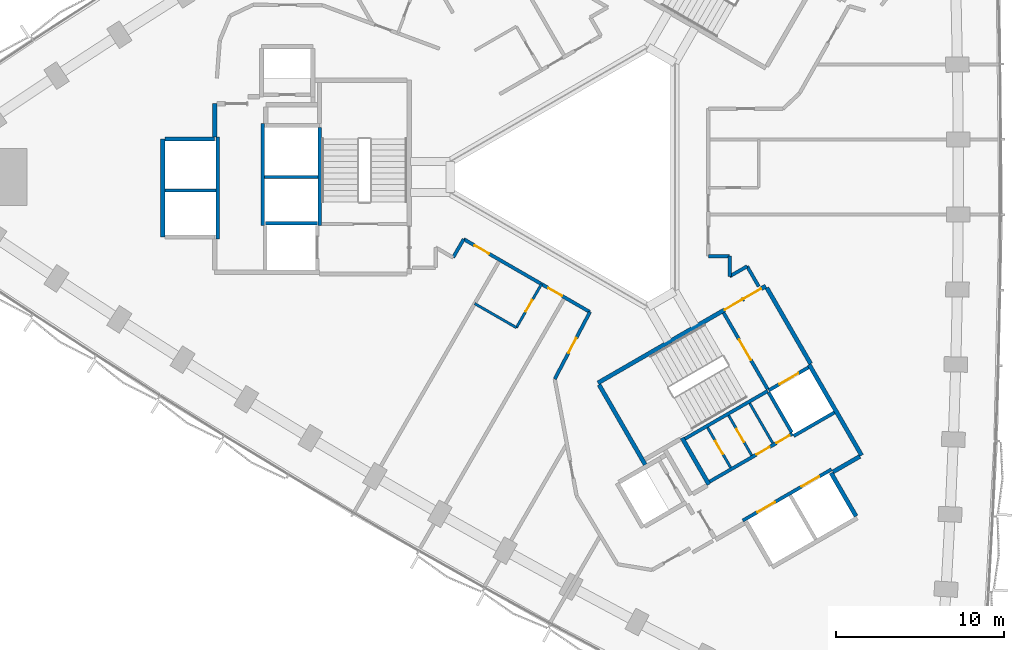
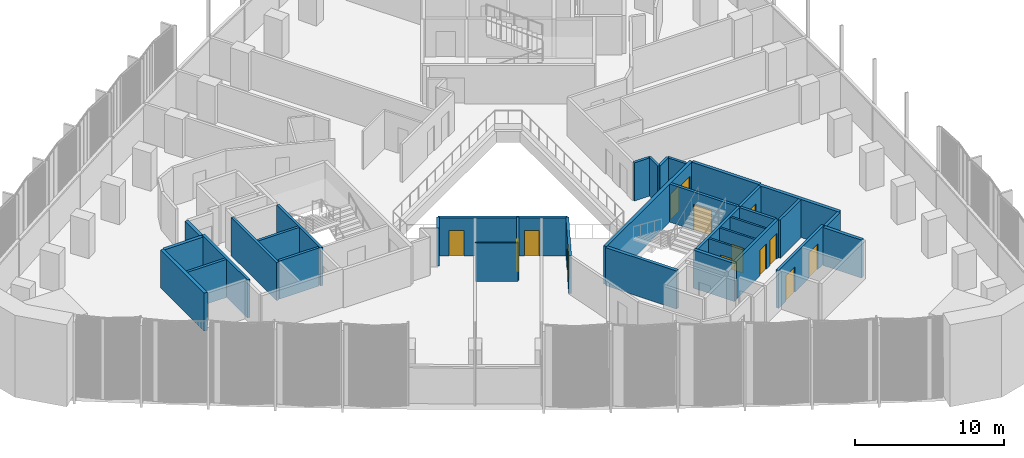
# One storey, part 10 of 16: 35 walls, 14 doors, 14 openings.
"""IFC4 building model written with IfcOpenShell, lengths in metres."""

import ifcopenshell
import ifcopenshell.guid

model = None  # the IFC model being written
_history = None  # IfcOwnerHistory: only IFC2X3 demands one
_inside = {}  # id of a spatial element -> (the spatial element, [elements in it])
_under = {}  # id of a project, library or spatial element -> (it, [spatial elements below it])
_declared = {}  # id of a project -> (the project, [libraries it declares])
_typed = {}  # id of a type object -> (the type object, [elements of that type])
_made_of = {}  # id of a material, layer set ... -> (it, [elements and type objects made of it])


def new_model(schema):
    """Start an empty IFC model of exactly this schema.

    Asked for "IFC4X3", IfcOpenShell would pick the latest addendum, in which some entities
    have other attributes; the version numbers below select the first issue.
    IFC2X3 requires an IfcOwnerHistory on every rooted entity: one is made here for all.
    """
    global model, _history
    if schema == "IFC4X3":
        model = ifcopenshell.file(schema_version=(4, 3, 0, 0))
    else:
        model = ifcopenshell.file(schema=schema)
    _inside.clear()
    _under.clear()
    _declared.clear()
    _typed.clear()
    _made_of.clear()
    _history = None
    if model.schema == "IFC2X3":
        org = make("IfcOrganization", Name="unknown")
        user = make(
            "IfcPersonAndOrganization",
            ThePerson=make("IfcPerson", FamilyName="unknown"),
            TheOrganization=org,
        )
        app = make(
            "IfcApplication",
            ApplicationDeveloper=org,
            Version="unknown",
            ApplicationFullName="unknown",
            ApplicationIdentifier="unknown",
        )
        _history = make(
            "IfcOwnerHistory",
            OwningUser=user,
            OwningApplication=app,
            ChangeAction="ADDED",
            CreationDate=0,
        )
    return model


def make(cls, **values):
    """One entity of the class cls with the attributes given. An attribute that is None is left unset."""
    return model.create_entity(
        cls, **{name: value for name, value in values.items() if value is not None}
    )


def rooted(cls, **values):
    """An entity with a GlobalId (a new one), such as an element, a storey or a relation."""
    return make(cls, GlobalId=ifcopenshell.guid.new(), OwnerHistory=_history, **values)


def si_unit(unit_type, name, prefix=None):
    """IfcSIUnit, for example si_unit("LENGTHUNIT", "METRE", prefix="MILLI")."""
    return make("IfcSIUnit", UnitType=unit_type, Prefix=prefix, Name=name)


def assignment(units):
    """IfcUnitAssignment: the units of a project."""
    return None if units is None else make("IfcUnitAssignment", Units=units)


def point(xyz):
    """IfcCartesianPoint."""
    return None if xyz is None else make("IfcCartesianPoint", Coordinates=xyz)


def direction(xyz):
    """IfcDirection."""
    return None if xyz is None else make("IfcDirection", DirectionRatios=xyz)


def frame(location, z_axis=None, x_axis=None):
    """IfcAxis2Placement3D, a coordinate frame: its origin and axes. An axis left out is left unset."""
    return make(
        "IfcAxis2Placement3D",
        Location=point(location),
        Axis=direction(z_axis),
        RefDirection=direction(x_axis),
    )


def frame_2d(location, x_axis=None):
    """IfcAxis2Placement2D, a coordinate frame in the plane: its origin and x axis."""
    return make(
        "IfcAxis2Placement2D", Location=point(location), RefDirection=direction(x_axis)
    )


def origin():
    """The frame at (0, 0, 0) with its axes left unset."""
    return frame((0.0, 0.0, 0.0))


def place(relative_to, where):
    """IfcLocalPlacement: puts the frame where relative to a parent placement (None: the world)."""
    return make(
        "IfcLocalPlacement", PlacementRelTo=relative_to, RelativePlacement=where
    )


def context(
    kind, dimensions, precision=None, world=None, true_north=None, identifier=None
):
    """IfcGeometricRepresentationContext, for example the 3D "Model" context."""
    return make(
        "IfcGeometricRepresentationContext",
        ContextIdentifier=identifier,
        ContextType=kind,
        CoordinateSpaceDimension=dimensions,
        Precision=precision,
        WorldCoordinateSystem=world,
        TrueNorth=true_north,
    )


def subcontext(parent, identifier, kind, view, scale=None):
    """IfcGeometricRepresentationSubContext, for example "Body" below "Model"."""
    return make(
        "IfcGeometricRepresentationSubContext",
        ContextIdentifier=identifier,
        ContextType=kind,
        ParentContext=parent,
        TargetScale=scale,
        TargetView=view,
    )


def project(units=None, contexts=None):
    """IfcProject with its units and contexts."""
    return rooted(
        "IfcProject",
        Name="project",
        RepresentationContexts=contexts,
        UnitsInContext=assignment(units),
    )


def spatial(cls, under=None, at=None, **own):
    """A site, building, storey or space (cls), placed at a placement, below another one or the project."""
    s = rooted(cls, ObjectPlacement=at, **own)
    if under is not None:
        _under.setdefault(under.id(), (under, []))[1].append(s)
    return s


def profile(cls, at=None, kind="AREA", **sizes):
    """A parametric profile (cls). Its sizes go by their IFC names, for example OverallWidth=200.0."""
    return make(cls, ProfileType=kind, Position=at, **sizes)


def rectangle(**sizes):
    """IfcRectangleProfileDef."""
    return profile("IfcRectangleProfileDef", **sizes)


def extrude(swept, where, along, depth):
    """IfcExtrudedAreaSolid: the profile swept, set in the frame where, extruded along a direction by depth."""
    return make(
        "IfcExtrudedAreaSolid",
        SweptArea=swept,
        Position=where,
        ExtrudedDirection=direction(along),
        Depth=depth,
    )


def shape(context_of_items, identifier, shape_type, items):
    """IfcShapeRepresentation: the items that make up one representation, for example the "Body"."""
    return make(
        "IfcShapeRepresentation",
        ContextOfItems=context_of_items,
        RepresentationIdentifier=identifier,
        RepresentationType=shape_type,
        Items=items,
    )


def material(Name=None, Category=None):
    """IfcMaterial."""
    return make("IfcMaterial", Name=Name, Category=Category)


def layer(
    of_material, thickness, ventilated=None, Name=None, Category=None, Priority=None
):
    """IfcMaterialLayer: one layer of a wall or slab, of a material (None: an air gap)."""
    return make(
        "IfcMaterialLayer",
        Material=of_material,
        LayerThickness=thickness,
        IsVentilated=ventilated,
        Name=Name,
        Category=Category,
        Priority=Priority,
    )


def layer_set(layers, Name=None):
    """IfcMaterialLayerSet."""
    return make("IfcMaterialLayerSet", MaterialLayers=layers, LayerSetName=Name)


def made_of(thing, what):
    """Note that an element or type object is made of a material, layer set ...; save() writes the relation."""
    if what is not None:
        _made_of.setdefault(what.id(), (what, []))[1].append(thing)
    return thing


def type_object(cls, material=None, **own):
    """A type object (cls), such as IfcWallType, which elements share."""
    return made_of(rooted(cls, **own), material)


def element(
    cls,
    number,
    at=None,
    inside=None,
    cuts=None,
    type_object=None,
    material=None,
    context=None,
    identifier="Body",
    shape_type=None,
    held_by="IfcProductDefinitionShape",
    body=None,
    shapes=None,
    **own,
):
    """One element of the class cls, such as IfcWall. Its Tag is "e" and its number.

    at: its placement. inside: the storey or other place that contains it. cuts: it is an
    opening in that element (IfcRelVoidsElement). A single representation is given by context,
    identifier, shape_type and body (its items); several are given by shapes. held_by: the class
    of the entity that holds the representations. save() writes the other relations.
    """
    e = rooted(cls, Tag="e%d" % number, ObjectPlacement=at, **own)
    if body is not None:
        shapes = [shape(context, identifier, shape_type, body)]
    if shapes is not None:
        e.Representation = make(held_by, Representations=shapes)
    if inside is not None:
        _inside.setdefault(inside.id(), (inside, []))[1].append(e)
    if cuts is not None:
        rooted(
            "IfcRelVoidsElement", RelatingBuildingElement=cuts, RelatedOpeningElement=e
        )
    if type_object is not None:
        _typed.setdefault(type_object.id(), (type_object, []))[1].append(e)
    return made_of(e, material)


def fill(opening, filler):
    """IfcRelFillsElement: the door or window that sits in an opening."""
    return rooted(
        "IfcRelFillsElement",
        RelatingOpeningElement=opening,
        RelatedBuildingElement=filler,
    )


def aggregate(whole, parts):
    """IfcRelAggregates: a whole, such as a stair, and the parts it consists of."""
    return rooted("IfcRelAggregates", RelatingObject=whole, RelatedObjects=parts)


def save(model, path):
    """Write the relations noted so far, then the file.

    IfcRelAggregates (storeys below a building ...), IfcRelContainedInSpatialStructure (elements
    in a storey), IfcRelDefinesByType, IfcRelAssociatesMaterial and IfcRelDeclares: one each for
    every whole, place, type object, material and project.
    """
    for whole, parts in _under.values():
        aggregate(whole, parts)
    for where, things in _inside.values():
        rooted(
            "IfcRelContainedInSpatialStructure",
            RelatedElements=things,
            RelatingStructure=where,
        )
    for kind, things in _typed.values():
        rooted("IfcRelDefinesByType", RelatedObjects=things, RelatingType=kind)
    for what, things in _made_of.values():
        rooted("IfcRelAssociatesMaterial", RelatedObjects=things, RelatingMaterial=what)
    for by, libraries in _declared.values():
        rooted("IfcRelDeclares", RelatingContext=by, RelatedDefinitions=libraries)
    model.write(path)


model = new_model("IFC4")

# Units and contexts
model_context = context("Model", 3, precision=1e-05, world=origin(), true_north=direction((0.0, 1.0)))
body_context = subcontext(model_context, "Body", "Model", "MODEL_VIEW")
ifc_project = project(units=[si_unit("LENGTHUNIT", "METRE"), si_unit("AREAUNIT", "SQUARE_METRE"), si_unit("VOLUMEUNIT", "CUBIC_METRE"), si_unit("PLANEANGLEUNIT", "RADIAN"), si_unit("MASSUNIT", "GRAM", prefix="KILO")], contexts=[model_context])

# Site, building, storey
site_placement = place(None, origin())
site = spatial("IfcSite", under=ifc_project, at=site_placement, CompositionType="ELEMENT")
building_placement = place(site_placement, origin())
building = spatial("IfcBuilding", under=site, at=building_placement, Name="Tamra Quay Hotel Tower", CompositionType="ELEMENT")
storey_placement = place(building_placement, frame((0.0, 0.0, 56.60009765625)))
storey = spatial("IfcBuildingStorey", under=building, at=storey_placement, Name="L12", CompositionType="ELEMENT", Elevation=56.60009765625)

# Walls
ifc_material_1 = material(Name="Concrete M70", Category="concrete")
ifc_layer_1 = layer(ifc_material_1, 0.199951171875)
ifc_layer_set_1 = layer_set([ifc_layer_1], Name="Concrete M70 core wall 200")
wall_type_1 = type_object("IfcWallType", Name="Concrete M70 core wall 200", PredefinedType="SHEAR", material=ifc_layer_set_1)
wall_1_placement = place(storey_placement, frame((-16.162109375, 2.95068359375, 0.0), z_axis=(0.0, 0.0, 1.0), x_axis=(0.0, -1.0, 0.0)))
element("IfcWall", 1, at=wall_1_placement, inside=storey, type_object=wall_type_1, Name="CW2", PredefinedType="SHEAR", context=body_context, shape_type="SweptSolid", body=[
    extrude(rectangle(XDim=5.850830078125, YDim=0.199951171875, at=frame_2d((2.92529296875, 0.0))), origin(), (0.0, 0.0, 1.0), 3.125),
])
for number, where, z_axis, x_axis, name in (
    (2, (-19.5625, -2.900146484375, 0.0), (0.0, 0.0, 1.0), (0.0, 1.0, 0.0), "CW2"),
    (3, (-22.26220703125, 2.400146484375, 0.0), (0.0, 0.0, 1.0), (0.0, -1.0, 0.0), "CW2"),
):
    element("IfcWall", number, at=place(storey_placement, frame(where, z_axis=z_axis, x_axis=x_axis)), inside=storey, type_object=wall_type_1, Name=name, PredefinedType="SHEAR", context=body_context, shape_type="SweptSolid", body=[
        extrude(rectangle(XDim=6.100341796875, YDim=0.199951171875, at=frame_2d((3.05029296875, 0.0))), origin(), (0.0, 0.0, 1.0), 3.125),
    ])
wall_2_placement = place(storey_placement, frame((-16.26318359375, 0.0, 0.0), z_axis=(0.0, 0.0, 1.0), x_axis=(-1.0, 0.0, 0.0)))
element("IfcWall", 4, at=wall_2_placement, inside=storey, type_object=wall_type_1, Name="CW2", PredefinedType="SHEAR", context=body_context, shape_type="SweptSolid", body=[
    extrude(rectangle(XDim=3.1982421875, YDim=0.199951171875, at=frame_2d((1.59912109375, 0.0))), origin(), (0.0, 0.0, 1.0), 3.125),
])
wall_3_placement = place(storey_placement, frame((-22.36328125, -0.800048828125, 0.0), z_axis=(0.0, 0.0, 1.0), x_axis=(-1.0, 0.0, 0.0)))
element("IfcWall", 5, at=wall_3_placement, inside=storey, type_object=wall_type_1, Name="CW2", PredefinedType="SHEAR", context=body_context, shape_type="SweptSolid", body=[
    extrude(rectangle(XDim=3.048095703125, YDim=0.199951171875, at=frame_2d((1.52392578125, 0.0))), origin(), (0.0, 0.0, 1.0), 3.125),
])
wall_4_placement = place(storey_placement, frame((-19.412353515625, -2.75, 0.0), z_axis=(0.0, 0.0, 1.0), x_axis=(1.0, 0.0, 0.0)))
element("IfcWall", 6, at=wall_4_placement, inside=storey, type_object=wall_type_1, Name="CW2", PredefinedType="SHEAR", context=body_context, shape_type="SweptSolid", body=[
    extrude(rectangle(XDim=3.10009765625, YDim=0.199951171875, at=frame_2d((1.550048828125, 0.0))), origin(), (0.0, 0.0, 1.0), 3.125),
])

# Wall, openings, doors
wall_5_placement = place(storey_placement, frame((9.052490234375, -20.479736328125, 0.0), z_axis=(0.0, 0.0, 1.0), x_axis=(0.866030299012, 0.499991521122, 0.0)))
wall_5 = element("IfcWall", 7, at=wall_5_placement, inside=storey, type_object=wall_type_1, Name="CW2", PredefinedType="SHEAR", context=body_context, shape_type="SweptSolid", body=[
    extrude(rectangle(XDim=6.10009765625, YDim=0.199951171875, at=frame_2d((3.050048828125, 0.0))), origin(), (0.0, 0.0, 1.0), 3.125),
])
opening_1_placement = place(wall_5_placement, frame((1.0, 0.0, 0.0)))
opening_1 = element("IfcOpeningElement", 8, at=opening_1_placement, cuts=wall_5, Name="Opening LD", PredefinedType="OPENING", context=body_context, shape_type="SweptSolid", body=[
    extrude(rectangle(XDim=1.199951171875, YDim=2.10009765625, at=frame_2d((0.60009765625, 1.050048828125))), frame((0.0, 0.10986328125, 0.0), z_axis=(0.0, -1.0, 0.0), x_axis=(1.0, 0.0, 0.0)), (0.0, 0.0, 1.0), 0.219970703125),
])
opening_2_placement = place(wall_5_placement, frame((4.05029296875, 0.0, 0.0)))
opening_2 = element("IfcOpeningElement", 9, at=opening_2_placement, cuts=wall_5, Name="Opening LD", PredefinedType="OPENING", context=body_context, shape_type="SweptSolid", body=[
    extrude(rectangle(XDim=1.199951171875, YDim=2.10009765625, at=frame_2d((0.60009765625, 1.050048828125))), frame((0.0, 0.10986328125, 0.0), z_axis=(0.0, -1.0, 0.0), x_axis=(1.0, 0.0, 0.0)), (0.0, 0.0, 1.0), 0.219970703125),
])
ifc_material_2 = material(Name="Landing door LD 1200 double door sliding")
door_type_1 = type_object("IfcDoorType", Name="Landing door LD 1200 double door sliding", OperationType="DOUBLE_DOOR_SLIDING", PredefinedType="DOOR", material=ifc_material_2)
door_1_placement = place(opening_1_placement, origin())
door_1 = element("IfcDoor", 10, at=door_1_placement, inside=storey, type_object=door_type_1, Name="LD", OperationType="DOUBLE_DOOR_SLIDING", OverallHeight=2.10009765625, OverallWidth=1.199951171875, PredefinedType="DOOR", context=body_context, shape_type="SweptSolid", body=[
    extrude(rectangle(XDim=1.199951171875, YDim=2.10009765625, at=frame_2d((0.60009765625, 1.050048828125))), frame((0.0, 0.02490234375, 0.0), z_axis=(0.0, -1.0, 0.0), x_axis=(1.0, 0.0, 0.0)), (0.0, 0.0, 1.0), 0.050048828125),
])
fill(opening_1, door_1)
door_2_placement = place(opening_2_placement, origin())
door_2 = element("IfcDoor", 11, at=door_2_placement, inside=storey, type_object=door_type_1, Name="LD", OperationType="DOUBLE_DOOR_SLIDING", OverallHeight=2.10009765625, OverallWidth=1.199951171875, PredefinedType="DOOR", context=body_context, shape_type="SweptSolid", body=[
    extrude(rectangle(XDim=1.199951171875, YDim=2.10009765625, at=frame_2d((0.60009765625, 1.050048828125))), frame((0.0, 0.02490234375, 0.0), z_axis=(0.0, -1.0, 0.0), x_axis=(1.0, 0.0, 0.0)), (0.0, 0.0, 1.0), 0.050048828125),
])
fill(opening_2, door_2)

# Wall
wall_6_placement = place(storey_placement, frame((10.537841796875, -12.751953125, 0.0), z_axis=(0.0, 0.0, 1.0), x_axis=(-0.866038630372, -0.499977090179, 0.0)))
element("IfcWall", 12, at=wall_6_placement, inside=storey, type_object=wall_type_1, Name="CW2", PredefinedType="SHEAR", context=body_context, shape_type="SweptSolid", body=[
    extrude(rectangle(XDim=5.698974609375, YDim=0.199951171875, at=frame_2d((2.849609375, 0.0))), origin(), (0.0, 0.0, 1.0), 3.125),
])

# Wall, openings, doors
wall_7_placement = place(storey_placement, frame((7.0771484375, -18.156005859375, 0.0), z_axis=(0.0, 0.0, 1.0), x_axis=(0.866038630372, 0.499977090179, 0.0)))
wall_7 = element("IfcWall", 13, at=wall_7_placement, inside=storey, type_object=wall_type_1, Name="CW2", PredefinedType="SHEAR", context=body_context, shape_type="SweptSolid", body=[
    extrude(rectangle(XDim=5.698974609375, YDim=0.199951171875, at=frame_2d((2.849609375, 0.0))), origin(), (0.0, 0.0, 1.0), 3.125),
])
opening_3_placement = place(wall_7_placement, frame((3.22412109375, 0.0, 0.0)))
opening_3 = element("IfcOpeningElement", 14, at=opening_3_placement, cuts=wall_7, Name="Opening D2", PredefinedType="OPENING", context=body_context, shape_type="SweptSolid", body=[
    extrude(rectangle(XDim=0.89990234375, YDim=2.10009765625, at=frame_2d((0.449951171875, 1.050048828125))), frame((0.0, 0.10986328125, 0.0), z_axis=(0.0, -1.0, 0.0), x_axis=(1.0, 0.0, 0.0)), (0.0, 0.0, 1.0), 0.219970703125),
])
opening_4_placement = place(wall_7_placement, frame((4.59912109375, 0.0, 0.0)))
opening_4 = element("IfcOpeningElement", 15, at=opening_4_placement, cuts=wall_7, Name="Opening D2", PredefinedType="OPENING", context=body_context, shape_type="SweptSolid", body=[
    extrude(rectangle(XDim=0.89990234375, YDim=2.10009765625, at=frame_2d((0.449951171875, 1.050048828125))), frame((0.0, 0.10986328125, 0.0), z_axis=(0.0, -1.0, 0.0), x_axis=(1.0, 0.0, 0.0)), (0.0, 0.0, 1.0), 0.219970703125),
])
ifc_material_3 = material(Name="Core door D2 900x2100 LH")
door_type_2 = type_object("IfcDoorType", Name="Core door D2 900x2100 LH", OperationType="NOTDEFINED", PredefinedType="DOOR", material=ifc_material_3)
door_3_placement = place(opening_4_placement, origin())
door_3 = element("IfcDoor", 16, at=door_3_placement, inside=storey, type_object=door_type_2, Name="D2", OperationType="SINGLE_SWING_LEFT", OverallHeight=2.10009765625, OverallWidth=0.89990234375, PredefinedType="DOOR", context=body_context, shape_type="SweptSolid", body=[
    extrude(rectangle(XDim=0.89990234375, YDim=2.10009765625, at=frame_2d((0.449951171875, 1.050048828125))), frame((0.0, 0.02490234375, 0.0), z_axis=(0.0, -1.0, 0.0), x_axis=(1.0, 0.0, 0.0)), (0.0, 0.0, 1.0), 0.050048828125),
])
fill(opening_4, door_3)
ifc_material_4 = material(Name="Core door D2 900x2100 RH")
door_type_3 = type_object("IfcDoorType", Name="Core door D2 900x2100 RH", OperationType="NOTDEFINED", PredefinedType="DOOR", material=ifc_material_4)
door_4_placement = place(opening_3_placement, origin())
door_4 = element("IfcDoor", 17, at=door_4_placement, inside=storey, type_object=door_type_3, Name="D2", OperationType="SINGLE_SWING_RIGHT", OverallHeight=2.10009765625, OverallWidth=0.89990234375, PredefinedType="DOOR", context=body_context, shape_type="SweptSolid", body=[
    extrude(rectangle(XDim=0.89990234375, YDim=2.10009765625, at=frame_2d((0.449951171875, 1.050048828125))), frame((0.0, 0.02490234375, 0.0), z_axis=(0.0, -1.0, 0.0), x_axis=(1.0, 0.0, 0.0)), (0.0, 0.0, 1.0), 0.050048828125),
])
fill(opening_3, door_4)

# Wall, opening, door
wall_8_placement = place(storey_placement, frame((7.906494140625, -8.094482421875, 0.0), z_axis=(0.0, 0.0, 1.0), x_axis=(0.500024287448, -0.866011380966, 0.0)))
wall_8 = element("IfcWall", 18, at=wall_8_placement, inside=storey, type_object=wall_type_1, Name="CW2", PredefinedType="SHEAR", context=body_context, shape_type="SweptSolid", body=[
    extrude(rectangle(XDim=5.251220703125, YDim=0.199951171875, at=frame_2d((2.62548828125, 0.0))), origin(), (0.0, 0.0, 1.0), 3.125),
])
opening_5_placement = place(wall_8_placement, frame((1.84912109375, 0.0, 0.0)))
opening_5 = element("IfcOpeningElement", 19, at=opening_5_placement, cuts=wall_8, Name="Opening FD2", PredefinedType="OPENING", context=body_context, shape_type="SweptSolid", body=[
    extrude(rectangle(XDim=1.39990234375, YDim=2.10009765625, at=frame_2d((0.699951171875, 1.050048828125))), frame((0.0, 0.10986328125, 0.0), z_axis=(0.0, -1.0, 0.0), x_axis=(1.0, 0.0, 0.0)), (0.0, 0.0, 1.0), 0.219970703125),
])
ifc_material_5 = material(Name="Core door FD2 1400x2100 LH")
door_type_4 = type_object("IfcDoorType", Name="Core door FD2 1400x2100 LH", OperationType="NOTDEFINED", PredefinedType="DOOR", material=ifc_material_5)
door_5_placement = place(opening_5_placement, origin())
door_5 = element("IfcDoor", 20, at=door_5_placement, inside=storey, type_object=door_type_4, Name="FD2", OperationType="SINGLE_SWING_LEFT", OverallHeight=2.10009765625, OverallWidth=1.39990234375, PredefinedType="DOOR", context=body_context, shape_type="SweptSolid", body=[
    extrude(rectangle(XDim=1.39990234375, YDim=2.10009765625, at=frame_2d((0.699951171875, 1.050048828125))), frame((0.0, 0.02490234375, 0.0), z_axis=(0.0, -1.0, 0.0), x_axis=(1.0, 0.0, 0.0)), (0.0, 0.0, 1.0), 0.050048828125),
])
fill(opening_5, door_5)

# Wall
wall_9_placement = place(storey_placement, frame((11.962646484375, -15.219970703125, 0.0), z_axis=(0.0, 0.0, 1.0), x_axis=(-0.500034990121, 0.866005201286, 0.0)))
element("IfcWall", 21, at=wall_9_placement, inside=storey, type_object=wall_type_1, Name="CW2", PredefinedType="SHEAR", context=body_context, shape_type="SweptSolid", body=[
    extrude(rectangle(XDim=2.749755859375, YDim=0.199951171875, at=frame_2d((1.375, 0.0))), origin(), (0.0, 0.0, 1.0), 3.125),
])

# Wall, opening, door
wall_10_placement = place(storey_placement, frame((10.587158203125, -12.72314453125, 0.0), z_axis=(0.0, 0.0, 1.0), x_axis=(0.866037306777, 0.499979382845, 0.0)))
wall_10 = element("IfcWall", 22, at=wall_10_placement, inside=storey, type_object=wall_type_1, Name="CW2", PredefinedType="SHEAR", context=body_context, shape_type="SweptSolid", body=[
    extrude(rectangle(XDim=2.74169921875, YDim=0.199951171875, at=frame_2d((1.370849609375, 0.0))), origin(), (0.0, 0.0, 1.0), 3.125),
])
opening_6_placement = place(wall_10_placement, frame((0.742919921875, 0.0, 0.0)))
opening_6 = element("IfcOpeningElement", 23, at=opening_6_placement, cuts=wall_10, Name="Opening LD", PredefinedType="OPENING", context=body_context, shape_type="SweptSolid", body=[
    extrude(rectangle(XDim=1.300048828125, YDim=2.10009765625, at=frame_2d((0.64990234375, 1.050048828125))), frame((0.0, 0.10986328125, 0.0), z_axis=(0.0, -1.0, 0.0), x_axis=(1.0, 0.0, 0.0)), (0.0, 0.0, 1.0), 0.219970703125),
])
ifc_material_6 = material(Name="Landing door LD 1300 sliding to left")
door_type_5 = type_object("IfcDoorType", Name="Landing door LD 1300 sliding to left", OperationType="NOTDEFINED", PredefinedType="DOOR", material=ifc_material_6)
door_6_placement = place(opening_6_placement, origin())
door_6 = element("IfcDoor", 24, at=door_6_placement, inside=storey, type_object=door_type_5, Name="LD", OperationType="SLIDING_TO_LEFT", OverallHeight=2.10009765625, OverallWidth=1.300048828125, PredefinedType="DOOR", context=body_context, shape_type="SweptSolid", body=[
    extrude(rectangle(XDim=1.300048828125, YDim=2.10009765625, at=frame_2d((0.64990234375, 1.050048828125))), frame((0.0, 0.02490234375, 0.0), z_axis=(0.0, -1.0, 0.0), x_axis=(1.0, 0.0, 0.0)), (0.0, 0.0, 1.0), 0.050048828125),
])
fill(opening_6, door_6)

# Walls
wall_11_placement = place(storey_placement, frame((14.51171875, -14.037109375, 0.0), z_axis=(0.0, 0.0, 1.0), x_axis=(-0.866044696403, -0.499966582715, 0.0)))
element("IfcWall", 25, at=wall_11_placement, inside=storey, type_object=wall_type_1, Name="CW2", PredefinedType="SHEAR", context=body_context, shape_type="SweptSolid", body=[
    extrude(rectangle(XDim=2.799072265625, YDim=0.199951171875, at=frame_2d((1.3994140625, 0.0))), origin(), (0.0, 0.0, 1.0), 3.125),
])
ifc_layer_2 = layer(ifc_material_1, 0.25)
ifc_layer_set_2 = layer_set([ifc_layer_2], Name="Concrete M70 core wall 250")
wall_type_2 = type_object("IfcWallType", Name="Concrete M70 core wall 250", PredefinedType="SHEAR", material=ifc_layer_set_2)
wall_12_placement = place(storey_placement, frame((-25.537353515625, -3.574951171875, 0.0), z_axis=(0.0, 0.0, 1.0), x_axis=(0.0, 1.0, 0.0)))
element("IfcWall", 26, at=wall_12_placement, inside=storey, type_object=wall_type_2, Name="CW1", PredefinedType="SHEAR", context=body_context, shape_type="SweptSolid", body=[
    extrude(rectangle(XDim=5.849853515625, YDim=0.25, at=frame_2d((2.9248046875, 0.0))), origin(), (0.0, 0.0, 1.0), 3.125),
])
wall_13_placement = place(storey_placement, frame((-25.411865234375, 2.27490234375, 0.0), z_axis=(0.0, 0.0, 1.0), x_axis=(1.0, 0.0, 0.0)))
element("IfcWall", 27, at=wall_13_placement, inside=storey, type_object=wall_type_2, Name="CW1", PredefinedType="SHEAR", context=body_context, shape_type="SweptSolid", body=[
    extrude(rectangle(XDim=2.974609375, YDim=0.25, at=frame_2d((1.4873046875, 0.0))), origin(), (0.0, 0.0, 1.0), 3.125),
])
wall_14_placement = place(storey_placement, frame((-22.437255859375, 2.400390625, 0.0), z_axis=(0.0, 0.0, 1.0), x_axis=(0.0, 1.0, 0.0)))
element("IfcWall", 28, at=wall_14_placement, inside=storey, type_object=wall_type_2, Name="CW1", PredefinedType="SHEAR", context=body_context, shape_type="SweptSolid", body=[
    extrude(rectangle(XDim=1.974609375, YDim=0.25, at=frame_2d((0.9873046875, 0.0))), origin(), (0.0, 0.0, 1.0), 3.125),
])

# Wall, openings, doors
wall_15_placement = place(storey_placement, frame((0.417236328125, -12.27294921875, 0.0), z_axis=(0.0, 0.0, 1.0), x_axis=(0.866021906294, 0.500006057782, 0.0)))
wall_15 = element("IfcWall", 29, at=wall_15_placement, inside=storey, type_object=wall_type_2, Name="CW1", PredefinedType="SHEAR", context=body_context, shape_type="SweptSolid", body=[
    extrude(rectangle(XDim=11.550048828125, YDim=0.25, at=frame_2d((5.77490234375, 0.0))), origin(), (0.0, 0.0, 1.0), 3.125),
])
opening_7_placement = place(wall_15_placement, frame((10.024658203125, 0.0, 0.0)))
opening_7 = element("IfcOpeningElement", 30, at=opening_7_placement, cuts=wall_15, Name="Opening FD1", PredefinedType="OPENING", context=body_context, shape_type="SweptSolid", body=[
    extrude(rectangle(XDim=1.199951171875, YDim=2.10009765625, at=frame_2d((0.60009765625, 1.050048828125))), frame((0.0, 0.135009765625, 0.0), z_axis=(0.0, -1.0, 0.0), x_axis=(1.0, 0.0, 0.0)), (0.0, 0.0, 1.0), 0.27001953125),
])
opening_8_placement = place(wall_15_placement, frame((8.724609375, 0.0, 0.0)))
opening_8 = element("IfcOpeningElement", 31, at=opening_8_placement, cuts=wall_15, Name="Opening FD1", PredefinedType="OPENING", context=body_context, shape_type="SweptSolid", body=[
    extrude(rectangle(XDim=1.199951171875, YDim=2.10009765625, at=frame_2d((0.60009765625, 1.050048828125))), frame((0.0, 0.135009765625, 0.0), z_axis=(0.0, -1.0, 0.0), x_axis=(1.0, 0.0, 0.0)), (0.0, 0.0, 1.0), 0.27001953125),
])
ifc_material_7 = material(Name="Core door FD1 1200x2100 LH")
door_type_6 = type_object("IfcDoorType", Name="Core door FD1 1200x2100 LH", OperationType="NOTDEFINED", PredefinedType="DOOR", material=ifc_material_7)
door_7_placement = place(opening_7_placement, origin())
door_7 = element("IfcDoor", 32, at=door_7_placement, inside=storey, type_object=door_type_6, Name="FD1", OperationType="SINGLE_SWING_LEFT", OverallHeight=2.10009765625, OverallWidth=1.199951171875, PredefinedType="DOOR", context=body_context, shape_type="SweptSolid", body=[
    extrude(rectangle(XDim=1.199951171875, YDim=2.10009765625, at=frame_2d((0.60009765625, 1.050048828125))), frame((0.0, 0.02490234375, 0.0), z_axis=(0.0, -1.0, 0.0), x_axis=(1.0, 0.0, 0.0)), (0.0, 0.0, 1.0), 0.050048828125),
])
fill(opening_7, door_7)
ifc_material_8 = material(Name="Core door FD1 1200x2100 RH")
door_type_7 = type_object("IfcDoorType", Name="Core door FD1 1200x2100 RH", OperationType="NOTDEFINED", PredefinedType="DOOR", material=ifc_material_8)
door_8_placement = place(opening_8_placement, origin())
door_8 = element("IfcDoor", 33, at=door_8_placement, inside=storey, type_object=door_type_7, Name="FD1", OperationType="SINGLE_SWING_RIGHT", OverallHeight=2.10009765625, OverallWidth=1.199951171875, PredefinedType="DOOR", context=body_context, shape_type="SweptSolid", body=[
    extrude(rectangle(XDim=1.199951171875, YDim=2.10009765625, at=frame_2d((0.60009765625, 1.050048828125))), frame((0.0, 0.02490234375, 0.0), z_axis=(0.0, -1.0, 0.0), x_axis=(1.0, 0.0, 0.0)), (0.0, 0.0, 1.0), 0.050048828125),
])
fill(opening_8, door_8)

# Walls
wall_16_placement = place(storey_placement, frame((13.00830078125, -11.18115234375, 0.0), z_axis=(0.0, 0.0, 1.0), x_axis=(0.500004234368, -0.866022959057, 0.0)))
element("IfcWall", 34, at=wall_16_placement, inside=storey, type_object=wall_type_2, Name="CW1", PredefinedType="SHEAR", context=body_context, shape_type="SweptSolid", body=[
    extrude(rectangle(XDim=6.25, YDim=0.25, at=frame_2d((3.125, 0.0))), origin(), (0.0, 0.0, 1.0), 3.125),
])
wall_17_placement = place(storey_placement, frame((3.23486328125, -17.15283203125, 0.0), z_axis=(0.0, 0.0, 1.0), x_axis=(-0.500008851346, 0.866020293397, 0.0)))
element("IfcWall", 35, at=wall_17_placement, inside=storey, type_object=wall_type_2, Name="CW1", PredefinedType="SHEAR", context=body_context, shape_type="SweptSolid", body=[
    extrude(rectangle(XDim=5.509765625, YDim=0.25, at=frame_2d((2.7548828125, 0.0))), origin(), (0.0, 0.0, 1.0), 3.125),
])
wall_18_placement = place(storey_placement, frame((10.482666015625, -6.6064453125, 0.0), z_axis=(0.0, 0.0, 1.0), x_axis=(0.49999885962, -0.866026062182, 0.0)))
element("IfcWall", 36, at=wall_18_placement, inside=storey, type_object=wall_type_2, Name="CW1", PredefinedType="SHEAR", context=body_context, shape_type="SweptSolid", body=[
    extrude(rectangle(XDim=5.224609375, YDim=0.25, at=frame_2d((2.6123046875, 0.0))), origin(), (0.0, 0.0, 1.0), 3.125),
])
wall_19_placement = place(storey_placement, frame((7.030517578125, -18.327392578125, 0.0), z_axis=(0.0, 0.0, 1.0), x_axis=(-0.499971222258, 0.866042017984, 0.0)))
element("IfcWall", 37, at=wall_19_placement, inside=storey, type_object=wall_type_2, Name="CW1", PredefinedType="SHEAR", context=body_context, shape_type="SweptSolid", body=[
    extrude(rectangle(XDim=3.199951171875, YDim=0.25, at=frame_2d((1.60009765625, 0.0))), origin(), (0.0, 0.0, 1.0), 3.125),
])
wall_20_placement = place(storey_placement, frame((14.314697265625, -17.643798828125, 0.0), z_axis=(0.0, 0.0, 1.0), x_axis=(0.500023226632, -0.866011993467, 0.0)))
element("IfcWall", 38, at=wall_20_placement, inside=storey, type_object=wall_type_2, Name="CW1", PredefinedType="SHEAR", context=body_context, shape_type="SweptSolid", body=[
    extrude(rectangle(XDim=2.974365234375, YDim=0.25, at=frame_2d((1.4873046875, 0.0))), origin(), (0.0, 0.0, 1.0), 3.125),
])
wall_21_placement = place(storey_placement, frame((16.024658203125, -16.656494140625, 0.0), z_axis=(0.0, 0.0, 1.0), x_axis=(-0.866016279763, -0.500015802937, 0.0)))
element("IfcWall", 39, at=wall_21_placement, inside=storey, type_object=wall_type_2, Name="CW1", PredefinedType="SHEAR", context=body_context, shape_type="SweptSolid", body=[
    extrude(rectangle(XDim=1.84912109375, YDim=0.25, at=frame_2d((0.924560546875, 0.0))), origin(), (0.0, 0.0, 1.0), 3.125),
])

# Wall, opening, door
ifc_material_9 = material(Name="Blockwork", Category="masonry")
ifc_layer_3 = layer(ifc_material_9, 0.14990234375)
ifc_layer_set_3 = layer_set([ifc_layer_3], Name="Core partition block 150")
wall_type_3 = type_object("IfcWallType", Name="Core partition block 150", PredefinedType="PARTITIONING", material=ifc_layer_set_3)
wall_22_placement = place(storey_placement, frame((8.20654296875, -14.214111328125, 0.0), z_axis=(0.0, 0.0, 1.0), x_axis=(0.50002746344, -0.86600954718, 0.0)))
wall_22 = element("IfcWall", 40, at=wall_22_placement, inside=storey, type_object=wall_type_3, Name="CP1", PredefinedType="PARTITIONING", context=body_context, shape_type="SweptSolid", body=[
    extrude(rectangle(XDim=2.748291015625, YDim=0.14990234375, at=frame_2d((1.3740234375, 0.0))), origin(), (0.0, 0.0, 1.0), 3.125),
])
opening_9_placement = place(wall_22_placement, frame((0.92431640625, 0.0, 0.0)))
opening_9 = element("IfcOpeningElement", 41, at=opening_9_placement, cuts=wall_22, Name="Opening D2", PredefinedType="OPENING", context=body_context, shape_type="SweptSolid", body=[
    extrude(rectangle(XDim=0.89990234375, YDim=2.10009765625, at=frame_2d((0.449951171875, 1.050048828125))), frame((0.0, 0.0849609375, 0.0), z_axis=(0.0, -1.0, 0.0), x_axis=(1.0, 0.0, 0.0)), (0.0, 0.0, 1.0), 0.169921875),
])
door_9_placement = place(opening_9_placement, origin())
door_9 = element("IfcDoor", 42, at=door_9_placement, inside=storey, type_object=door_type_2, Name="D2", OperationType="SINGLE_SWING_LEFT", OverallHeight=2.10009765625, OverallWidth=0.89990234375, PredefinedType="DOOR", context=body_context, shape_type="SweptSolid", body=[
    extrude(rectangle(XDim=0.89990234375, YDim=2.10009765625, at=frame_2d((0.449951171875, 1.050048828125))), frame((0.0, 0.02490234375, 0.0), z_axis=(0.0, -1.0, 0.0), x_axis=(1.0, 0.0, 0.0)), (0.0, 0.0, 1.0), 0.050048828125),
])
fill(opening_9, door_9)

# Wall
wall_23_placement = place(storey_placement, frame((9.46240234375, -13.489013671875, 0.0), z_axis=(0.0, 0.0, 1.0), x_axis=(0.499988999718, -0.866031754707, 0.0)))
element("IfcWall", 43, at=wall_23_placement, inside=storey, type_object=wall_type_3, Name="CP1", PredefinedType="PARTITIONING", context=body_context, shape_type="SweptSolid", body=[
    extrude(rectangle(XDim=2.74853515625, YDim=0.14990234375, at=frame_2d((1.374267578125, 0.0))), origin(), (0.0, 0.0, 1.0), 3.125),
])

# Wall, opening, door
wall_24_placement = place(storey_placement, frame((6.950927734375, -14.93896484375, 0.0), z_axis=(0.0, 0.0, 1.0), x_axis=(0.499988999718, -0.866031754707, 0.0)))
wall_24 = element("IfcWall", 44, at=wall_24_placement, inside=storey, type_object=wall_type_3, Name="CP1", PredefinedType="PARTITIONING", context=body_context, shape_type="SweptSolid", body=[
    extrude(rectangle(XDim=2.74853515625, YDim=0.14990234375, at=frame_2d((1.374267578125, 0.0))), origin(), (0.0, 0.0, 1.0), 3.125),
])
opening_10_placement = place(wall_24_placement, frame((0.92431640625, 0.0, 0.0)))
opening_10 = element("IfcOpeningElement", 45, at=opening_10_placement, cuts=wall_24, Name="Opening D2", PredefinedType="OPENING", context=body_context, shape_type="SweptSolid", body=[
    extrude(rectangle(XDim=0.89990234375, YDim=2.10009765625, at=frame_2d((0.449951171875, 1.050048828125))), frame((0.0, 0.0849609375, 0.0), z_axis=(0.0, -1.0, 0.0), x_axis=(1.0, 0.0, 0.0)), (0.0, 0.0, 1.0), 0.169921875),
])
door_10_placement = place(opening_10_placement, origin())
door_10 = element("IfcDoor", 46, at=door_10_placement, inside=storey, type_object=door_type_3, Name="D2", OperationType="SINGLE_SWING_RIGHT", OverallHeight=2.10009765625, OverallWidth=0.89990234375, PredefinedType="DOOR", context=body_context, shape_type="SweptSolid", body=[
    extrude(rectangle(XDim=0.89990234375, YDim=2.10009765625, at=frame_2d((0.449951171875, 1.050048828125))), frame((0.0, 0.02490234375, 0.0), z_axis=(0.0, -1.0, 0.0), x_axis=(1.0, 0.0, 0.0)), (0.0, 0.0, 1.0), 0.050048828125),
])
fill(opening_10, door_10)

# Wall
ifc_material_10 = material(Name="Partition corridor wall")
ifc_layer_4 = layer(ifc_material_10, 0.199951171875)
ifc_layer_set_4 = layer_set([ifc_layer_4], Name="Partition corridor wall")
wall_type_4 = type_object("IfcWallType", Name="Partition corridor wall", PredefinedType="PARTITIONING", material=ifc_layer_set_4)
wall_25_placement = place(storey_placement, frame((-8.222900390625, -4.800048828125, 0.0), z_axis=(0.0, 0.0, 1.0), x_axis=(0.499866914522, 0.866102227088, 0.0)))
element("IfcWall", 47, at=wall_25_placement, inside=storey, type_object=wall_type_4, Name="W-C", PredefinedType="PARTITIONING", context=body_context, shape_type="SweptSolid", body=[
    extrude(rectangle(XDim=1.267822265625, YDim=0.199951171875, at=frame_2d((0.6337890625, 0.0))), origin(), (0.0, 0.0, 1.0), 3.125),
])

# Wall, openings, doors
wall_26_placement = place(storey_placement, frame((-7.589111328125, -3.701904296875, 0.0), z_axis=(0.0, 0.0, 1.0), x_axis=(0.865995139556, -0.500052415518, 0.0)))
wall_26 = element("IfcWall", 48, at=wall_26_placement, inside=storey, type_object=wall_type_4, Name="W-C", PredefinedType="PARTITIONING", context=body_context, shape_type="SweptSolid", body=[
    extrude(rectangle(XDim=8.68896484375, YDim=0.199951171875, at=frame_2d((4.344482421875, 0.0))), origin(), (0.0, 0.0, 1.0), 3.125),
])
opening_11_placement = place(wall_26_placement, frame((0.748779296875, 0.0, 0.0)))
opening_11 = element("IfcOpeningElement", 49, at=opening_11_placement, cuts=wall_26, Name="Opening L12-D012", PredefinedType="OPENING", context=body_context, shape_type="SweptSolid", body=[
    extrude(rectangle(XDim=1.0, YDim=2.10009765625, at=frame_2d((0.5, 1.050048828125))), frame((0.0, 0.10986328125, 0.0), z_axis=(0.0, -1.0, 0.0), x_axis=(1.0, 0.0, 0.0)), (0.0, 0.0, 1.0), 0.219970703125),
])
opening_12_placement = place(wall_26_placement, frame((5.818603515625, 0.0, 0.0)))
opening_12 = element("IfcOpeningElement", 50, at=opening_12_placement, cuts=wall_26, Name="Opening L12-D013", PredefinedType="OPENING", context=body_context, shape_type="SweptSolid", body=[
    extrude(rectangle(XDim=0.949951171875, YDim=2.10009765625, at=frame_2d((0.47509765625, 1.050048828125))), frame((0.0, 0.10986328125, 0.0), z_axis=(0.0, -1.0, 0.0), x_axis=(1.0, 0.0, 0.0)), (0.0, 0.0, 1.0), 0.219970703125),
])
ifc_material_11 = material(Name="Door guest room 1000x2100")
door_type_8 = type_object("IfcDoorType", Name="Door guest room 1000x2100", OperationType="NOTDEFINED", PredefinedType="DOOR", material=ifc_material_11)
door_11_placement = place(opening_11_placement, frame((1.0, 0.0, 0.0), z_axis=(0.0, 0.0, 1.0), x_axis=(-1.0, 0.0, 0.0)))
door_11 = element("IfcDoor", 51, at=door_11_placement, inside=storey, type_object=door_type_8, Name="L12-D012", OperationType="SINGLE_SWING_LEFT", OverallHeight=2.10009765625, OverallWidth=1.0, PredefinedType="DOOR", context=body_context, shape_type="SweptSolid", body=[
    extrude(rectangle(XDim=1.0, YDim=2.10009765625, at=frame_2d((0.5, 1.050048828125))), frame((0.0, 0.02490234375, 0.0), z_axis=(0.0, -1.0, 0.0), x_axis=(1.0, 0.0, 0.0)), (0.0, 0.0, 1.0), 0.050048828125),
])
fill(opening_11, door_11)
ifc_material_12 = material(Name="Door guest room 950x2100")
door_type_9 = type_object("IfcDoorType", Name="Door guest room 950x2100", OperationType="NOTDEFINED", PredefinedType="DOOR", material=ifc_material_12)
door_12_placement = place(opening_12_placement, frame((0.949951171875, 0.0, 0.0), z_axis=(0.0, 0.0, 1.0), x_axis=(-1.0, 0.0, 0.0)))
door_12 = element("IfcDoor", 52, at=door_12_placement, inside=storey, type_object=door_type_9, Name="L12-D013", OperationType="SINGLE_SWING_LEFT", OverallHeight=2.10009765625, OverallWidth=0.949951171875, PredefinedType="DOOR", context=body_context, shape_type="SweptSolid", body=[
    extrude(rectangle(XDim=0.949951171875, YDim=2.10009765625, at=frame_2d((0.47509765625, 1.050048828125))), frame((0.0, 0.02490234375, 0.0), z_axis=(0.0, -1.0, 0.0), x_axis=(1.0, 0.0, 0.0)), (0.0, 0.0, 1.0), 0.050048828125),
])
fill(opening_12, door_12)

# Wall, opening, door
wall_27_placement = place(storey_placement, frame((-2.162109375, -12.041015625, 0.0), z_axis=(0.0, 0.0, 1.0), x_axis=(0.464956890881, 0.885333321197, 0.0)))
wall_27 = element("IfcWall", 53, at=wall_27_placement, inside=storey, type_object=wall_type_4, Name="W-C", PredefinedType="PARTITIONING", context=body_context, shape_type="SweptSolid", body=[
    extrude(rectangle(XDim=4.512451171875, YDim=0.199951171875, at=frame_2d((2.25634765625, 0.0))), origin(), (0.0, 0.0, 1.0), 3.125),
])
opening_13_placement = place(wall_27_placement, frame((1.756103515625, 0.0, 0.0)))
opening_13 = element("IfcOpeningElement", 54, at=opening_13_placement, cuts=wall_27, Name="Opening L12-D015", PredefinedType="OPENING", context=body_context, shape_type="SweptSolid", body=[
    extrude(rectangle(XDim=1.0, YDim=2.10009765625, at=frame_2d((0.5, 1.050048828125))), frame((0.0, 0.10986328125, 0.0), z_axis=(0.0, -1.0, 0.0), x_axis=(1.0, 0.0, 0.0)), (0.0, 0.0, 1.0), 0.219970703125),
])
door_13_placement = place(opening_13_placement, origin())
door_13 = element("IfcDoor", 55, at=door_13_placement, inside=storey, type_object=door_type_8, Name="L12-D015", OperationType="SINGLE_SWING_LEFT", OverallHeight=2.10009765625, OverallWidth=1.0, PredefinedType="DOOR", context=body_context, shape_type="SweptSolid", body=[
    extrude(rectangle(XDim=1.0, YDim=2.10009765625, at=frame_2d((0.5, 1.050048828125))), frame((0.0, 0.02490234375, 0.0), z_axis=(0.0, -1.0, 0.0), x_axis=(1.0, 0.0, 0.0)), (0.0, 0.0, 1.0), 0.050048828125),
])
fill(opening_13, door_13)

# Walls
wall_28_placement = place(storey_placement, frame((7.0, -4.720947265625, 0.0), z_axis=(0.0, 0.0, 1.0), x_axis=(1.0, 0.0, 0.0)))
element("IfcWall", 56, at=wall_28_placement, inside=storey, type_object=wall_type_4, Name="W-C", PredefinedType="PARTITIONING", context=body_context, shape_type="SweptSolid", body=[
    extrude(rectangle(XDim=1.26806640625, YDim=0.199951171875, at=frame_2d((0.634033203125, 0.0))), origin(), (0.0, 0.0, 1.0), 3.125),
])
wall_29_placement = place(storey_placement, frame((8.26806640625, -5.9208984375, 0.0), z_axis=(0.0, 0.0, 1.0), x_axis=(0.0, 1.0, 0.0)))
element("IfcWall", 57, at=wall_29_placement, inside=storey, type_object=wall_type_4, Name="W-C", PredefinedType="PARTITIONING", context=body_context, shape_type="SweptSolid", body=[
    extrude(rectangle(XDim=1.199951171875, YDim=0.199951171875, at=frame_2d((0.60009765625, 0.0))), origin(), (0.0, 0.0, 1.0), 3.125),
])
wall_30_placement = place(storey_placement, frame((8.26806640625, -5.9208984375, 0.0), z_axis=(0.0, 0.0, 1.0), x_axis=(0.866344856625, 0.499446282797, 0.0)))
element("IfcWall", 58, at=wall_30_placement, inside=storey, type_object=wall_type_4, Name="W-C", PredefinedType="PARTITIONING", context=body_context, shape_type="SweptSolid", body=[
    extrude(rectangle(XDim=1.198974609375, YDim=0.199951171875, at=frame_2d((0.599609375, 0.0))), origin(), (0.0, 0.0, 1.0), 3.125),
])
wall_31_placement = place(storey_placement, frame((9.306884765625, -5.322021484375, 0.0), z_axis=(0.0, 0.0, 1.0), x_axis=(0.500295157811, -0.865854927266, 0.0)))
element("IfcWall", 59, at=wall_31_placement, inside=storey, type_object=wall_type_4, Name="W-C", PredefinedType="PARTITIONING", context=body_context, shape_type="SweptSolid", body=[
    extrude(rectangle(XDim=1.389892578125, YDim=0.199951171875, at=frame_2d((0.69482421875, 0.0))), origin(), (0.0, 0.0, 1.0), 3.125),
])
ifc_material_13 = material(Name="Partition en-suite wall")
ifc_layer_5 = layer(ifc_material_13, 0.14990234375)
ifc_layer_set_5 = layer_set([ifc_layer_5], Name="Partition en-suite wall")
wall_type_5 = type_object("IfcWallType", Name="Partition en-suite wall", PredefinedType="PARTITIONING", material=ifc_layer_set_5)
wall_32_placement = place(storey_placement, frame((-6.93603515625, -7.54296875, 0.0), z_axis=(0.0, 0.0, 1.0), x_axis=(0.866153027342, -0.499778884334, 0.0)))
element("IfcWall", 60, at=wall_32_placement, inside=storey, type_object=wall_type_5, Name="W-E", PredefinedType="PARTITIONING", context=body_context, shape_type="SweptSolid", body=[
    extrude(rectangle(XDim=2.871337890625, YDim=0.14990234375, at=frame_2d((1.435546875, 0.0))), origin(), (0.0, 0.0, 1.0), 3.125),
])

# Wall, opening, door
wall_33_placement = place(storey_placement, frame((-4.448974609375, -8.97802734375, 0.0), z_axis=(0.0, 0.0, 1.0), x_axis=(0.499745940409, 0.866172035478, 0.0)))
wall_33 = element("IfcWall", 61, at=wall_33_placement, inside=storey, type_object=wall_type_5, Name="W-E", PredefinedType="PARTITIONING", context=body_context, shape_type="SweptSolid", body=[
    extrude(rectangle(XDim=2.99951171875, YDim=0.14990234375, at=frame_2d((1.499755859375, 0.0))), origin(), (0.0, 0.0, 1.0), 3.125),
])
opening_14_placement = place(wall_33_placement, frame((1.099609375, 0.0, 0.0)))
opening_14 = element("IfcOpeningElement", 62, at=opening_14_placement, cuts=wall_33, Name="Opening L12-D014", PredefinedType="OPENING", context=body_context, shape_type="SweptSolid", body=[
    extrude(rectangle(XDim=0.800048828125, YDim=2.10009765625, at=frame_2d((0.39990234375, 1.050048828125))), frame((0.0, 0.0849609375, 0.0), z_axis=(0.0, -1.0, 0.0), x_axis=(1.0, 0.0, 0.0)), (0.0, 0.0, 1.0), 0.169921875),
])
ifc_material_14 = material(Name="Door en-suite 800x2100")
door_type_10 = type_object("IfcDoorType", Name="Door en-suite 800x2100", OperationType="NOTDEFINED", PredefinedType="DOOR", material=ifc_material_14)
door_14_placement = place(opening_14_placement, origin())
door_14 = element("IfcDoor", 63, at=door_14_placement, inside=storey, type_object=door_type_10, Name="L12-D014", OperationType="SINGLE_SWING_LEFT", OverallHeight=2.10009765625, OverallWidth=0.800048828125, PredefinedType="DOOR", context=body_context, shape_type="SweptSolid", body=[
    extrude(rectangle(XDim=0.800048828125, YDim=2.10009765625, at=frame_2d((0.39990234375, 1.050048828125))), frame((0.0, 0.02490234375, 0.0), z_axis=(0.0, -1.0, 0.0), x_axis=(1.0, 0.0, 0.0)), (0.0, 0.0, 1.0), 0.050048828125),
])
fill(opening_14, door_14)

save(model, "model.ifc")
